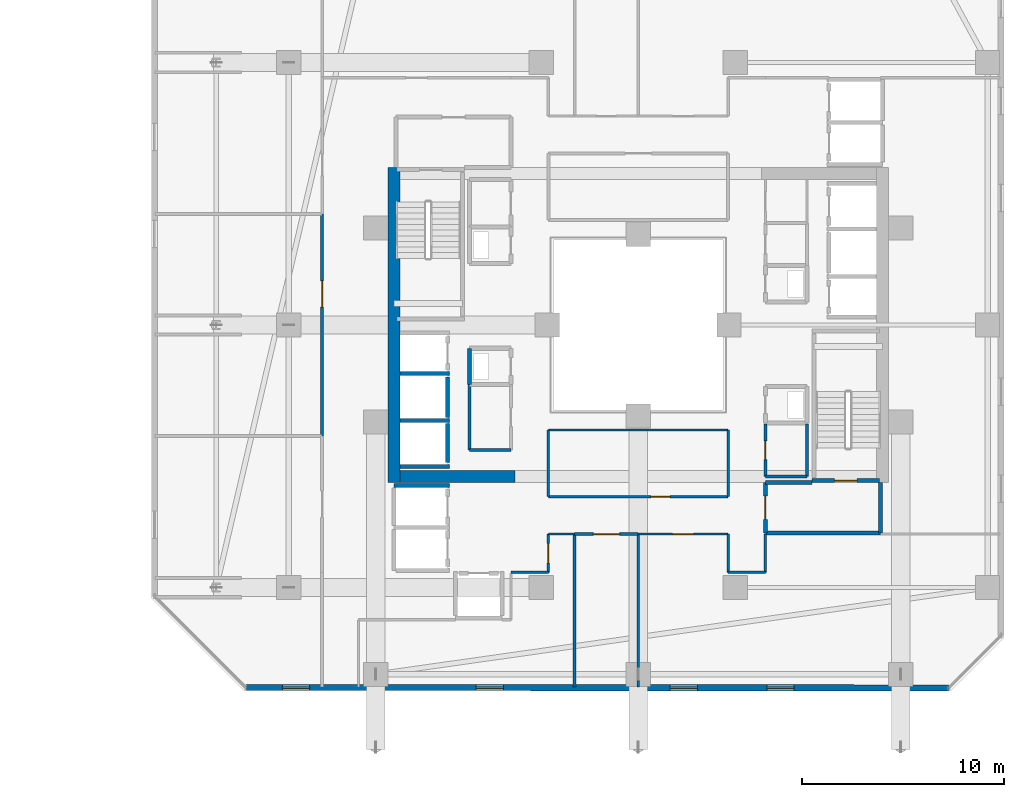
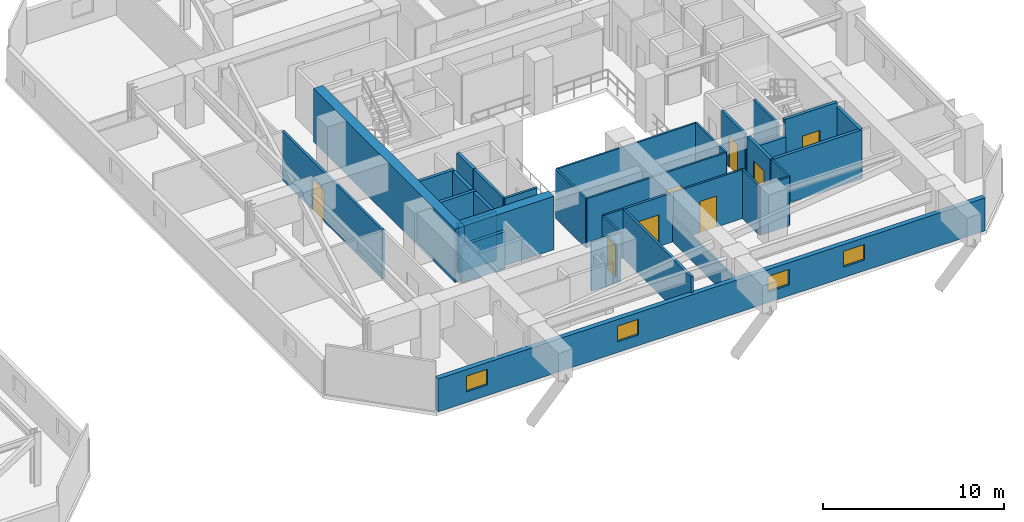
# One storey, part 26 of 36: 35 walls, 8 doors, 4 windows, 12 openings.
"""IFC4 building model written with IfcOpenShell, lengths in metres."""

from ifc_helpers import new_model, si_unit, direction, frame, frame_2d, origin, place, context, subcontext, project, spatial, rectangle, extrude, material, layer, layer_set, type_object, element, fill, save


model = new_model("IFC4")

# Units and contexts
model_context = context("Model", 3, precision=1e-05, world=origin(), true_north=direction((0.0, 1.0)))
body_context = subcontext(model_context, "Body", "Model", "MODEL_VIEW")
ifc_project = project(units=[si_unit("LENGTHUNIT", "METRE"), si_unit("AREAUNIT", "SQUARE_METRE"), si_unit("VOLUMEUNIT", "CUBIC_METRE"), si_unit("PLANEANGLEUNIT", "RADIAN"), si_unit("MASSUNIT", "GRAM", prefix="KILO")], contexts=[model_context])

# Site, building, storey
site_placement = place(None, origin())
site = spatial("IfcSite", under=ifc_project, at=site_placement, CompositionType="ELEMENT")
building_placement = place(site_placement, origin())
building = spatial("IfcBuilding", under=site, at=building_placement, Name="Thornwick Lancets Civic Towers", CompositionType="ELEMENT")
storey_placement = place(building_placement, frame((0.0, 0.0, 94.5)))
storey = spatial("IfcBuildingStorey", under=building, at=storey_placement, Name="L24", CompositionType="ELEMENT", Elevation=94.5)

# Walls
ifc_material_1 = material(Name="Concrete blockwork C40/50", Category="masonry")
ifc_layer_1 = layer(ifc_material_1, 0.199951171875, Name="Concrete blockwork C40/50")
ifc_layer_set_1 = layer_set([ifc_layer_1], Name="Concrete blockwork C40/50")
wall_type_1 = type_object("IfcWallType", Name="WALL_COMP_200", PredefinedType="STANDARD", material=ifc_layer_set_1)
wall_1_placement = place(storey_placement, frame((79.050048828125, 22.429931640625, 0.0), z_axis=(0.0, 0.0, 1.0), x_axis=(0.0, 1.0, 0.0)))
element("IfcWall", 1, at=wall_1_placement, inside=storey, type_object=wall_type_1, Name="L24 Hoistway Front Wall PL-BH2", PredefinedType="STANDARD", context=body_context, shape_type="SweptSolid", body=[
    extrude(rectangle(XDim=1.989990234375, YDim=0.199951171875, at=frame_2d((0.9951171875, 0.0))), origin(), (0.0, 0.0, 1.0), 3.300048828125),
])
wall_2_placement = place(storey_placement, frame((79.050048828125, 20.179931640625, 0.0), z_axis=(0.0, 0.0, 1.0), x_axis=(0.0, 1.0, 0.0)))
element("IfcWall", 2, at=wall_2_placement, inside=storey, type_object=wall_type_1, Name="L24 Hoistway Front Wall PL-BH3", PredefinedType="STANDARD", context=body_context, shape_type="SweptSolid", body=[
    extrude(rectangle(XDim=1.940185546875, YDim=0.199951171875, at=frame_2d((0.97021484375, 0.0))), origin(), (0.0, 0.0, 1.0), 3.300048828125),
])
for number, where, z_axis, x_axis, name in (
    (3, (76.7119140625, 24.60009765625, 0.0), (0.0, 0.0, 1.0), (1.0, 0.0, 0.0), "L24 Hoistway Shaft Wall FL-B2 S"),
    (4, (76.7119140625, 22.27490234375, 0.0), (0.0, 0.0, 1.0), (1.0, 0.0, 0.0), "L24 Hoistway Shaft Wall PL-BH2 S"),
    (5, (76.7119140625, 20.0, 0.0), (0.0, 0.0, 1.0), (1.0, 0.0, 0.0), "L24 Hoistway Shaft Wall PL-BH3 S"),
):
    element("IfcWall", number, at=place(storey_placement, frame(where, z_axis=z_axis, x_axis=x_axis)), inside=storey, type_object=wall_type_1, Name=name, PredefinedType="STANDARD", context=body_context, shape_type="SweptSolid", body=[
        extrude(rectangle(XDim=2.43603515625, YDim=0.199951171875, at=frame_2d((1.218017578125, 0.0))), origin(), (0.0, 0.0, 1.0), 3.300048828125),
    ])
wall_3_placement = place(storey_placement, frame((76.402099609375, 19.050048828125, 0.0), z_axis=(0.0, 0.0, 1.0), x_axis=(1.0, 0.0, 0.0)))
element("IfcWall", 6, at=wall_3_placement, inside=storey, type_object=wall_type_1, Name="L24 Hoistway Shaft Wall PL-BM1 N", PredefinedType="STANDARD", context=body_context, shape_type="SweptSolid", body=[
    extrude(rectangle(XDim=2.745849609375, YDim=0.199951171875, at=frame_2d((1.373046875, 0.0))), origin(), (0.0, 0.0, 1.0), 2.5048828125),
])
wall_4_placement = place(storey_placement, frame((94.800048828125, 16.699951171875, 0.0), z_axis=(0.0, 0.0, 1.0), x_axis=(1.0, 0.0, 0.0)))
element("IfcWall", 7, at=wall_4_placement, inside=storey, type_object=wall_type_1, Name="L24 Partition L24-B-FFLOB1 E1", PredefinedType="STANDARD", context=body_context, shape_type="SweptSolid", body=[
    extrude(rectangle(XDim=5.699951171875, YDim=0.199951171875, at=frame_2d((2.85009765625, 0.0))), origin(), (0.0, 0.0, 1.0), 3.300048828125),
])
wall_5_placement = place(storey_placement, frame((100.5, 16.699951171875, 0.0), z_axis=(0.0, 0.0, 1.0), x_axis=(0.0, 1.0, 0.0)))
element("IfcWall", 8, at=wall_5_placement, inside=storey, type_object=wall_type_1, Name="L24 Partition L24-B-FFLOB1 E2", PredefinedType="STANDARD", context=body_context, shape_type="SweptSolid", body=[
    extrude(rectangle(XDim=2.5, YDim=0.199951171875, at=frame_2d((1.25, 0.0))), origin(), (0.0, 0.0, 1.0), 3.300048828125),
])
wall_6_placement = place(storey_placement, frame((97.10009765625, 19.199951171875, 0.0), z_axis=(0.0, 0.0, 1.0), x_axis=(-1.0, 0.0, 0.0)))
element("IfcWall", 9, at=wall_6_placement, inside=storey, type_object=wall_type_1, Name="L24 Partition L24-B-FFLOB1 E3", PredefinedType="STANDARD", context=body_context, shape_type="SweptSolid", body=[
    extrude(rectangle(XDim=2.300048828125, YDim=0.199951171875, at=frame_2d((1.14990234375, 0.0))), origin(), (0.0, 0.0, 1.0), 2.5048828125),
])

# Wall, opening, door
wall_7_placement = place(storey_placement, frame((94.800048828125, 19.199951171875, 0.0), z_axis=(0.0, 0.0, 1.0), x_axis=(0.0, -1.0, 0.0)))
wall_7 = element("IfcWall", 10, at=wall_7_placement, inside=storey, type_object=wall_type_1, Name="L24 Partition L24-B-FFLOB1 E4", PredefinedType="STANDARD", context=body_context, shape_type="SweptSolid", body=[
    extrude(rectangle(XDim=2.5, YDim=0.199951171875, at=frame_2d((1.25, 0.0))), origin(), (0.0, 0.0, 1.0), 3.300048828125),
])
opening_1_placement = place(wall_7_placement, frame((0.675048828125, 0.0, 0.0)))
opening_1 = element("IfcOpeningElement", 11, at=opening_1_placement, cuts=wall_7, Name="Opening D-L24-1118", PredefinedType="OPENING", context=body_context, shape_type="SweptSolid", body=[
    extrude(rectangle(XDim=1.14990234375, YDim=2.10009765625, at=frame_2d((0.574951171875, 1.050048828125))), frame((0.0, 0.10986328125, 0.0), z_axis=(0.0, -1.0, 0.0), x_axis=(1.0, 0.0, 0.0)), (0.0, 0.0, 1.0), 0.219970703125),
])
ifc_material_2 = material(Name="Glazed fire-resisting steel", Category="steel")
door_type_1 = type_object("IfcDoorType", Name="DOOR_LOBBY_FD60", OperationType="NOTDEFINED", PredefinedType="DOOR", material=ifc_material_2)
door_1_placement = place(opening_1_placement, origin())
door_1 = element("IfcDoor", 12, at=door_1_placement, inside=storey, type_object=door_type_1, Name="L24 East Firefighting Lobby 1 Door", OperationType="SINGLE_SWING_LEFT", OverallHeight=2.10009765625, OverallWidth=1.14990234375, PredefinedType="DOOR", context=body_context, shape_type="SweptSolid", body=[
    extrude(rectangle(XDim=1.14990234375, YDim=2.10009765625, at=frame_2d((0.574951171875, 1.050048828125))), frame((0.0, 0.02490234375, 0.0), z_axis=(0.0, -1.0, 0.0), x_axis=(1.0, 0.0, 0.0)), (0.0, 0.0, 1.0), 0.050048828125),
])
fill(opening_1, door_1)

# Walls
wall_8_placement = place(storey_placement, frame((80.14990234375, 25.85009765625, 0.0), z_axis=(0.0, 0.0, 1.0), x_axis=(0.0, -1.0, 0.0)))
element("IfcWall", 13, at=wall_8_placement, inside=storey, type_object=wall_type_1, Name="L24 Partition L24-B-DUCT2 E4", PredefinedType="STANDARD", context=body_context, shape_type="SweptSolid", body=[
    extrude(rectangle(XDim=1.800048828125, YDim=0.199951171875, at=frame_2d((0.89990234375, 0.0))), origin(), (0.0, 0.0, 1.0), 3.300048828125),
])
ifc_material_3 = material(Name="Concrete C60/75", Category="concrete")
ifc_layer_2 = layer(ifc_material_3, 0.60009765625, Name="Concrete C60/75")
ifc_layer_set_2 = layer_set([ifc_layer_2], Name="Concrete C60/75")
wall_type_2 = type_object("IfcWallType", Name="WALL_CORE_600", PredefinedType="SHEAR", material=ifc_layer_set_2)
wall_9_placement = place(storey_placement, frame((76.39990234375, 19.199951171875, 0.0), z_axis=(0.0, 0.0, 1.0), x_axis=(0.0, 1.0, 0.0)))
element("IfcWall", 14, at=wall_9_placement, inside=storey, type_object=wall_type_2, Name="L24 Split Core B2 Shear Wall W", PredefinedType="SHEAR", context=body_context, shape_type="SweptSolid", body=[
    extrude(rectangle(XDim=15.60009765625, YDim=0.60009765625, at=frame_2d((7.800048828125, 0.0))), origin(), (0.0, 0.0, 1.0), 3.60009765625),
])
wall_10_placement = place(storey_placement, frame((76.699951171875, 19.5, 0.0), z_axis=(0.0, 0.0, 1.0), x_axis=(1.0, 0.0, 0.0)))
element("IfcWall", 15, at=wall_10_placement, inside=storey, type_object=wall_type_2, Name="L24 Split Core B2 Shear Wall S", PredefinedType="SHEAR", context=body_context, shape_type="SweptSolid", body=[
    extrude(rectangle(XDim=5.699951171875, YDim=0.60009765625, at=frame_2d((2.85009765625, 0.0))), origin(), (0.0, 0.0, 1.0), 3.60009765625),
])

# Wall, openings, windows
ifc_material_4 = material(Name="Insulated russet terracotta rainscreen on concrete C40/50", Category="masonry")
ifc_layer_3 = layer(ifc_material_4, 0.300048828125, Name="Insulated russet terracotta rainscreen on concrete C40/50")
ifc_layer_set_3 = layer_set([ifc_layer_3], Name="Insulated russet terracotta rainscreen on concrete C40/50")
wall_type_3 = type_object("IfcWallType", Name="WALL_EXT_RUSSET_300", PredefinedType="STANDARD", material=ifc_layer_set_3)
wall_11_placement = place(storey_placement, frame((69.074951171875, 9.041748046875, 0.0), z_axis=(0.0, 0.0, 1.0), x_axis=(0.999999983371, -0.000182370391, 0.0)))
wall_11 = element("IfcWall", 16, at=wall_11_placement, inside=storey, type_object=wall_type_3, Name="L24 Tower B Terracotta Facade Wall E0", PredefinedType="STANDARD", context=body_context, shape_type="SweptSolid", body=[
    extrude(rectangle(XDim=34.806396484375, YDim=0.300048828125, at=frame_2d((17.4033203125, 0.0))), origin(), (0.0, 0.0, 1.0), 2.219970703125),
])
opening_2_placement = place(wall_11_placement, frame((1.800048828125, 0.0, 0.719970703125)))
opening_2 = element("IfcOpeningElement", 17, at=opening_2_placement, cuts=wall_11, Name="Opening WL-03", PredefinedType="OPENING", context=body_context, shape_type="SweptSolid", body=[
    extrude(rectangle(XDim=1.35009765625, YDim=1.050048828125, at=frame_2d((0.675048828125, 0.52490234375))), frame((0.0, 0.16015625, 0.0), z_axis=(0.0, -1.0, 0.0), x_axis=(1.0, 0.0, 0.0)), (0.0, 0.0, 1.0), 0.320068359375),
])
opening_3_placement = place(wall_11_placement, frame((11.39990234375, 0.0, 0.719970703125)))
opening_3 = element("IfcOpeningElement", 18, at=opening_3_placement, cuts=wall_11, Name="Opening WL-03", PredefinedType="OPENING", context=body_context, shape_type="SweptSolid", body=[
    extrude(rectangle(XDim=1.35009765625, YDim=1.050048828125, at=frame_2d((0.675048828125, 0.52490234375))), frame((0.0, 0.16015625, 0.0), z_axis=(0.0, -1.0, 0.0), x_axis=(1.0, 0.0, 0.0)), (0.0, 0.0, 1.0), 0.320068359375),
])
opening_4_placement = place(wall_11_placement, frame((21.0, 0.0, 0.719970703125)))
opening_4 = element("IfcOpeningElement", 19, at=opening_4_placement, cuts=wall_11, Name="Opening WL-03", PredefinedType="OPENING", context=body_context, shape_type="SweptSolid", body=[
    extrude(rectangle(XDim=1.35009765625, YDim=1.050048828125, at=frame_2d((0.675048828125, 0.52490234375))), frame((0.0, 0.16015625, 0.0), z_axis=(0.0, -1.0, 0.0), x_axis=(1.0, 0.0, 0.0)), (0.0, 0.0, 1.0), 0.320068359375),
])
opening_5_placement = place(wall_11_placement, frame((25.800048828125, 0.0, 0.719970703125)))
opening_5 = element("IfcOpeningElement", 20, at=opening_5_placement, cuts=wall_11, Name="Opening WL-03", PredefinedType="OPENING", context=body_context, shape_type="SweptSolid", body=[
    extrude(rectangle(XDim=1.35009765625, YDim=1.050048828125, at=frame_2d((0.675048828125, 0.52490234375))), frame((0.0, 0.16015625, 0.0), z_axis=(0.0, -1.0, 0.0), x_axis=(1.0, 0.0, 0.0)), (0.0, 0.0, 1.0), 0.320068359375),
])
ifc_material_5 = material(Name="Clear low-e double glazing clerestory lancet", Category="glass")
window_type = type_object("IfcWindowType", Name="WIN_LANCET_1350", PartitioningType="SINGLE_PANEL", PredefinedType="WINDOW", material=ifc_material_5)
window_1_placement = place(opening_2_placement, origin())
window_1 = element("IfcWindow", 21, at=window_1_placement, inside=storey, type_object=window_type, Name="L24 Tower B Staggered Lancet Window E0-1", OverallHeight=1.050048828125, OverallWidth=1.35009765625, PartitioningType="SINGLE_PANEL", PredefinedType="WINDOW", context=body_context, shape_type="SweptSolid", body=[
    extrude(rectangle(XDim=1.35009765625, YDim=1.050048828125, at=frame_2d((0.675048828125, 0.52490234375))), frame((0.0, 0.030029296875, 0.0), z_axis=(0.0, -1.0, 0.0), x_axis=(1.0, 0.0, 0.0)), (0.0, 0.0, 1.0), 0.06005859375),
])
fill(opening_2, window_1)
window_2_placement = place(opening_3_placement, origin())
window_2 = element("IfcWindow", 22, at=window_2_placement, inside=storey, type_object=window_type, Name="L24 Tower B Staggered Lancet Window E0-2", OverallHeight=1.050048828125, OverallWidth=1.35009765625, PartitioningType="SINGLE_PANEL", PredefinedType="WINDOW", context=body_context, shape_type="SweptSolid", body=[
    extrude(rectangle(XDim=1.35009765625, YDim=1.050048828125, at=frame_2d((0.675048828125, 0.52490234375))), frame((0.0, 0.030029296875, 0.0), z_axis=(0.0, -1.0, 0.0), x_axis=(1.0, 0.0, 0.0)), (0.0, 0.0, 1.0), 0.06005859375),
])
fill(opening_3, window_2)
window_3_placement = place(opening_4_placement, origin())
window_3 = element("IfcWindow", 23, at=window_3_placement, inside=storey, type_object=window_type, Name="L24 Tower B Staggered Lancet Window E0-3", OverallHeight=1.050048828125, OverallWidth=1.35009765625, PartitioningType="SINGLE_PANEL", PredefinedType="WINDOW", context=body_context, shape_type="SweptSolid", body=[
    extrude(rectangle(XDim=1.35009765625, YDim=1.050048828125, at=frame_2d((0.675048828125, 0.52490234375))), frame((0.0, 0.030029296875, 0.0), z_axis=(0.0, -1.0, 0.0), x_axis=(1.0, 0.0, 0.0)), (0.0, 0.0, 1.0), 0.06005859375),
])
fill(opening_4, window_3)
window_4_placement = place(opening_5_placement, origin())
window_4 = element("IfcWindow", 24, at=window_4_placement, inside=storey, type_object=window_type, Name="L24 Tower B Staggered Lancet Window E0-4", OverallHeight=1.050048828125, OverallWidth=1.35009765625, PartitioningType="SINGLE_PANEL", PredefinedType="WINDOW", context=body_context, shape_type="SweptSolid", body=[
    extrude(rectangle(XDim=1.35009765625, YDim=1.050048828125, at=frame_2d((0.675048828125, 0.52490234375))), frame((0.0, 0.030029296875, 0.0), z_axis=(0.0, -1.0, 0.0), x_axis=(1.0, 0.0, 0.0)), (0.0, 0.0, 1.0), 0.06005859375),
])
fill(opening_5, window_4)

# Walls
ifc_material_6 = material(Name="Acoustic gypsum board partition")
ifc_layer_4 = layer(ifc_material_6, 0.1201171875, Name="Acoustic gypsum board partition")
ifc_layer_set_4 = layer_set([ifc_layer_4], Name="Acoustic gypsum board partition")
wall_type_4 = type_object("IfcWallType", Name="WALL_PART_120", PredefinedType="PARTITIONING", material=ifc_layer_set_4)
wall_12_placement = place(storey_placement, frame((92.949951171875, 16.64990234375, 0.0), z_axis=(0.0, 0.0, 1.0), x_axis=(0.0, -1.0, 0.0)))
element("IfcWall", 25, at=wall_12_placement, inside=storey, type_object=wall_type_4, Name="L24 Partition L24-B-W1 E1", PredefinedType="PARTITIONING", context=body_context, shape_type="SweptSolid", body=[
    extrude(rectangle(XDim=1.89990234375, YDim=0.1201171875, at=frame_2d((0.949951171875, 0.0))), origin(), (0.0, 0.0, 1.0), 3.300048828125),
])
wall_13_placement = place(storey_placement, frame((92.949951171875, 14.75, 0.0), z_axis=(0.0, 0.0, 1.0), x_axis=(1.0, 0.0, 0.0)))
element("IfcWall", 26, at=wall_13_placement, inside=storey, type_object=wall_type_4, Name="L24 Partition L24-B-W1 E2", PredefinedType="PARTITIONING", context=body_context, shape_type="SweptSolid", body=[
    extrude(rectangle(XDim=1.85009765625, YDim=0.1201171875, at=frame_2d((0.925048828125, 0.0))), origin(), (0.0, 0.0, 1.0), 3.300048828125),
])
wall_14_placement = place(storey_placement, frame((94.800048828125, 14.75, 0.0), z_axis=(0.0, 0.0, 1.0), x_axis=(0.0, 1.0, 0.0)))
element("IfcWall", 27, at=wall_14_placement, inside=storey, type_object=wall_type_4, Name="L24 Partition L24-B-W1 E3", PredefinedType="PARTITIONING", context=body_context, shape_type="SweptSolid", body=[
    extrude(rectangle(XDim=1.89990234375, YDim=0.1201171875, at=frame_2d((0.949951171875, 0.0))), origin(), (0.0, 0.0, 1.0), 3.300048828125),
])
wall_15_placement = place(storey_placement, frame((88.5, 9.080078125, 0.0), z_axis=(0.0, 0.0, 1.0), x_axis=(0.0, 1.0, 0.0)))
element("IfcWall", 28, at=wall_15_placement, inside=storey, type_object=wall_type_4, Name="L24 Partition L24-B-W1 E8", PredefinedType="PARTITIONING", context=body_context, shape_type="SweptSolid", body=[
    extrude(rectangle(XDim=7.56982421875, YDim=0.1201171875, at=frame_2d((3.784912109375, 0.0))), origin(), (0.0, 0.0, 1.0), 1.68505859375),
])

# Wall, opening, door
wall_16_placement = place(storey_placement, frame((88.5, 16.64990234375, 0.0), z_axis=(0.0, 0.0, 1.0), x_axis=(1.0, 0.0, 0.0)))
wall_16 = element("IfcWall", 29, at=wall_16_placement, inside=storey, type_object=wall_type_4, Name="L24 Partition L24-B-W1 E9", PredefinedType="PARTITIONING", context=body_context, shape_type="SweptSolid", body=[
    extrude(rectangle(XDim=4.449951171875, YDim=0.1201171875, at=frame_2d((2.22509765625, 0.0))), origin(), (0.0, 0.0, 1.0), 3.300048828125),
])
opening_6_placement = place(wall_16_placement, frame((1.699951171875, 0.0, 0.0)))
opening_6 = element("IfcOpeningElement", 30, at=opening_6_placement, cuts=wall_16, Name="Opening D-L24-1140", PredefinedType="OPENING", context=body_context, shape_type="SweptSolid", body=[
    extrude(rectangle(XDim=1.050048828125, YDim=2.10009765625, at=frame_2d((0.52490234375, 1.050048828125))), frame((0.0, 0.070068359375, 0.0), z_axis=(0.0, -1.0, 0.0), x_axis=(1.0, 0.0, 0.0)), (0.0, 0.0, 1.0), 0.14013671875),
])
ifc_material_7 = material(Name="Glazed European oak executive doorset")
door_type_2 = type_object("IfcDoorType", Name="DOOR_OFFICE_1050", OperationType="NOTDEFINED", PredefinedType="DOOR", material=ifc_material_7)
door_2_placement = place(opening_6_placement, origin())
door_2 = element("IfcDoor", 31, at=door_2_placement, inside=storey, type_object=door_type_2, Name="L24 Tower B Ministry Directorate Office W1 Door", OperationType="SINGLE_SWING_LEFT", OverallHeight=2.10009765625, OverallWidth=1.050048828125, PredefinedType="DOOR", context=body_context, shape_type="SweptSolid", body=[
    extrude(rectangle(XDim=1.050048828125, YDim=2.10009765625, at=frame_2d((0.52490234375, 1.050048828125))), frame((0.0, 0.02490234375, 0.0), z_axis=(0.0, -1.0, 0.0), x_axis=(1.0, 0.0, 0.0)), (0.0, 0.0, 1.0), 0.050048828125),
])
fill(opening_6, door_2)

# Wall
wall_17_placement = place(storey_placement, frame((82.199951171875, 14.75, 0.0), z_axis=(0.0, 0.0, 1.0), x_axis=(1.0, 0.0, 0.0)))
element("IfcWall", 32, at=wall_17_placement, inside=storey, type_object=wall_type_4, Name="L24 Partition L24-B-W3 E3", PredefinedType="PARTITIONING", context=body_context, shape_type="SweptSolid", body=[
    extrude(rectangle(XDim=1.85009765625, YDim=0.1201171875, at=frame_2d((0.925048828125, 0.0))), origin(), (0.0, 0.0, 1.0), 3.300048828125),
])

# Wall, opening, door
wall_18_placement = place(storey_placement, frame((84.050048828125, 14.75, 0.0), z_axis=(0.0, 0.0, 1.0), x_axis=(0.0, 1.0, 0.0)))
wall_18 = element("IfcWall", 33, at=wall_18_placement, inside=storey, type_object=wall_type_4, Name="L24 Partition L24-B-W3 E4", PredefinedType="PARTITIONING", context=body_context, shape_type="SweptSolid", body=[
    extrude(rectangle(XDim=1.89990234375, YDim=0.1201171875, at=frame_2d((0.949951171875, 0.0))), origin(), (0.0, 0.0, 1.0), 3.300048828125),
])
opening_7_placement = place(wall_18_placement, frame((0.47509765625, 0.0, 0.0)))
opening_7 = element("IfcOpeningElement", 34, at=opening_7_placement, cuts=wall_18, Name="Opening D-L24-1142", PredefinedType="OPENING", context=body_context, shape_type="SweptSolid", body=[
    extrude(rectangle(XDim=0.949951171875, YDim=2.10009765625, at=frame_2d((0.47509765625, 1.050048828125))), frame((0.0, 0.070068359375, 0.0), z_axis=(0.0, -1.0, 0.0), x_axis=(1.0, 0.0, 0.0)), (0.0, 0.0, 1.0), 0.14013671875),
])
ifc_material_8 = material(Name="European oak acoustic doorset")
door_type_3 = type_object("IfcDoorType", Name="DOOR_OFFICE_950", OperationType="NOTDEFINED", PredefinedType="DOOR", material=ifc_material_8)
door_3_placement = place(opening_7_placement, origin())
door_3 = element("IfcDoor", 35, at=door_3_placement, inside=storey, type_object=door_type_3, Name="L24 Tower B Staff Tea Pantry and Lounge Door", OperationType="SINGLE_SWING_LEFT", OverallHeight=2.10009765625, OverallWidth=0.949951171875, PredefinedType="DOOR", context=body_context, shape_type="SweptSolid", body=[
    extrude(rectangle(XDim=0.949951171875, YDim=2.10009765625, at=frame_2d((0.47509765625, 1.050048828125))), frame((0.0, 0.02490234375, 0.0), z_axis=(0.0, -1.0, 0.0), x_axis=(1.0, 0.0, 0.0)), (0.0, 0.0, 1.0), 0.050048828125),
])
fill(opening_7, door_3)

# Walls
wall_19_placement = place(storey_placement, frame((84.050048828125, 16.64990234375, 0.0), z_axis=(0.0, 0.0, 1.0), x_axis=(1.0, 0.0, 0.0)))
element("IfcWall", 36, at=wall_19_placement, inside=storey, type_object=wall_type_4, Name="L24 Partition L24-B-W3 E5", PredefinedType="PARTITIONING", context=body_context, shape_type="SweptSolid", body=[
    extrude(rectangle(XDim=1.300048828125, YDim=0.1201171875, at=frame_2d((0.64990234375, 0.0))), origin(), (0.0, 0.0, 1.0), 3.300048828125),
])
wall_20_placement = place(storey_placement, frame((84.050048828125, 18.5, 0.0), z_axis=(0.0, 0.0, 1.0), x_axis=(0.0, 1.0, 0.0)))
element("IfcWall", 37, at=wall_20_placement, inside=storey, type_object=wall_type_4, Name="L24 Partition L24-B-ATR-W E1", PredefinedType="PARTITIONING", context=body_context, shape_type="SweptSolid", body=[
    extrude(rectangle(XDim=3.300048828125, YDim=0.1201171875, at=frame_2d((1.64990234375, 0.0))), origin(), (0.0, 0.0, 1.0), 3.300048828125),
])
wall_21_placement = place(storey_placement, frame((84.050048828125, 21.800048828125, 0.0), z_axis=(0.0, 0.0, 1.0), x_axis=(1.0, 0.0, 0.0)))
element("IfcWall", 38, at=wall_21_placement, inside=storey, type_object=wall_type_4, Name="L24 Partition L24-B-ATR-W E2", PredefinedType="PARTITIONING", context=body_context, shape_type="SweptSolid", body=[
    extrude(rectangle(XDim=8.89990234375, YDim=0.1201171875, at=frame_2d((4.449951171875, 0.0))), origin(), (0.0, 0.0, 1.0), 3.300048828125),
])
wall_22_placement = place(storey_placement, frame((92.949951171875, 21.800048828125, 0.0), z_axis=(0.0, 0.0, 1.0), x_axis=(0.0, -1.0, 0.0)))
element("IfcWall", 39, at=wall_22_placement, inside=storey, type_object=wall_type_4, Name="L24 Partition L24-B-ATR-W E3", PredefinedType="PARTITIONING", context=body_context, shape_type="SweptSolid", body=[
    extrude(rectangle(XDim=3.300048828125, YDim=0.1201171875, at=frame_2d((1.64990234375, 0.0))), origin(), (0.0, 0.0, 1.0), 3.300048828125),
])

# Wall, opening, door
wall_23_placement = place(storey_placement, frame((92.949951171875, 18.5, 0.0), z_axis=(0.0, 0.0, 1.0), x_axis=(-1.0, 0.0, 0.0)))
wall_23 = element("IfcWall", 40, at=wall_23_placement, inside=storey, type_object=wall_type_4, Name="L24 Partition L24-B-ATR-W E4", PredefinedType="PARTITIONING", context=body_context, shape_type="SweptSolid", body=[
    extrude(rectangle(XDim=8.89990234375, YDim=0.1201171875, at=frame_2d((4.449951171875, 0.0))), origin(), (0.0, 0.0, 1.0), 3.300048828125),
])
opening_8_placement = place(wall_23_placement, frame((2.875, 0.0, 0.0)))
opening_8 = element("IfcOpeningElement", 41, at=opening_8_placement, cuts=wall_23, Name="Opening D-L24-1147", PredefinedType="OPENING", context=body_context, shape_type="SweptSolid", body=[
    extrude(rectangle(XDim=0.949951171875, YDim=2.10009765625, at=frame_2d((0.47509765625, 1.050048828125))), frame((0.0, 0.070068359375, 0.0), z_axis=(0.0, -1.0, 0.0), x_axis=(1.0, 0.0, 0.0)), (0.0, 0.0, 1.0), 0.14013671875),
])
door_4_placement = place(opening_8_placement, origin())
door_4 = element("IfcDoor", 42, at=door_4_placement, inside=storey, type_object=door_type_3, Name="L24 Tower B West Atrium Study Lounge Door", OperationType="SINGLE_SWING_RIGHT", OverallHeight=2.10009765625, OverallWidth=0.949951171875, PredefinedType="DOOR", context=body_context, shape_type="SweptSolid", body=[
    extrude(rectangle(XDim=0.949951171875, YDim=2.10009765625, at=frame_2d((0.47509765625, 1.050048828125))), frame((0.0, 0.02490234375, 0.0), z_axis=(0.0, -1.0, 0.0), x_axis=(1.0, 0.0, 0.0)), (0.0, 0.0, 1.0), 0.050048828125),
])
fill(opening_8, door_4)

# Walls
ifc_material_9 = material(Name="Twin-stud acoustic gypsum board")
ifc_layer_5 = layer(ifc_material_9, 0.14990234375, Name="Twin-stud acoustic gypsum board")
ifc_layer_set_5 = layer_set([ifc_layer_5], Name="Twin-stud acoustic gypsum board")
wall_type_5 = type_object("IfcWallType", Name="WALL_PART_150", PredefinedType="PARTITIONING", material=ifc_layer_set_5)
wall_24_placement = place(storey_placement, frame((94.800048828125, 19.5, 0.0), z_axis=(0.0, 0.0, 1.0), x_axis=(1.0, 0.0, 0.0)))
element("IfcWall", 43, at=wall_24_placement, inside=storey, type_object=wall_type_5, Name="L24 Partition L24-B-AWC E1", PredefinedType="PARTITIONING", context=body_context, shape_type="SweptSolid", body=[
    extrude(rectangle(XDim=2.050048828125, YDim=0.14990234375, at=frame_2d((1.02490234375, 0.0))), origin(), (0.0, 0.0, 1.0), 2.5048828125),
])
wall_25_placement = place(storey_placement, frame((96.85009765625, 19.5, 0.0), z_axis=(0.0, 0.0, 1.0), x_axis=(0.0, 1.0, 0.0)))
element("IfcWall", 44, at=wall_25_placement, inside=storey, type_object=wall_type_5, Name="L24 Partition L24-B-AWC E2", PredefinedType="PARTITIONING", context=body_context, shape_type="SweptSolid", body=[
    extrude(rectangle(XDim=2.60009765625, YDim=0.14990234375, at=frame_2d((1.300048828125, 0.0))), origin(), (0.0, 0.0, 1.0), 3.300048828125),
])

# Wall, opening, door
wall_26_placement = place(storey_placement, frame((94.800048828125, 22.10009765625, 0.0), z_axis=(0.0, 0.0, 1.0), x_axis=(0.0, -1.0, 0.0)))
wall_26 = element("IfcWall", 45, at=wall_26_placement, inside=storey, type_object=wall_type_5, Name="L24 Partition L24-B-AWC E4", PredefinedType="PARTITIONING", context=body_context, shape_type="SweptSolid", body=[
    extrude(rectangle(XDim=2.60009765625, YDim=0.14990234375, at=frame_2d((1.300048828125, 0.0))), origin(), (0.0, 0.0, 1.0), 3.300048828125),
])
opening_9_placement = place(wall_26_placement, frame((0.840087890625, 0.0, 0.0)))
opening_9 = element("IfcOpeningElement", 46, at=opening_9_placement, cuts=wall_26, Name="Opening D-L24-1124", PredefinedType="OPENING", context=body_context, shape_type="SweptSolid", body=[
    extrude(rectangle(XDim=0.919921875, YDim=2.080078125, at=frame_2d((0.4599609375, 1.0400390625))), frame((0.0, 0.0849609375, 0.0), z_axis=(0.0, -1.0, 0.0), x_axis=(1.0, 0.0, 0.0)), (0.0, 0.0, 1.0), 0.169921875),
])
ifc_material_10 = material(Name="Moisture-resistant oak doorset")
door_type_4 = type_object("IfcDoorType", Name="DOOR_WC_900", OperationType="NOTDEFINED", PredefinedType="DOOR", material=ifc_material_10)
door_5_placement = place(opening_9_placement, origin())
door_5 = element("IfcDoor", 47, at=door_5_placement, inside=storey, type_object=door_type_4, Name="L24 Tower B Accessible WC Door", OperationType="SINGLE_SWING_LEFT", OverallHeight=2.080078125, OverallWidth=0.919921875, PredefinedType="DOOR", context=body_context, shape_type="SweptSolid", body=[
    extrude(rectangle(XDim=0.919921875, YDim=2.080078125, at=frame_2d((0.4599609375, 1.0400390625))), frame((0.0, 0.02490234375, 0.0), z_axis=(0.0, -1.0, 0.0), x_axis=(1.0, 0.0, 0.0)), (0.0, 0.0, 1.0), 0.050048828125),
])
fill(opening_9, door_5)

# Walls
wall_27_placement = place(storey_placement, frame((82.199951171875, 20.800048828125, 0.0), z_axis=(0.0, 0.0, 1.0), x_axis=(-1.0, 0.0, 0.0)))
element("IfcWall", 48, at=wall_27_placement, inside=storey, type_object=wall_type_5, Name="L24 Partition L24-B-FWC E1", PredefinedType="PARTITIONING", context=body_context, shape_type="SweptSolid", body=[
    extrude(rectangle(XDim=2.050048828125, YDim=0.14990234375, at=frame_2d((1.02490234375, 0.0))), origin(), (0.0, 0.0, 1.0), 3.300048828125),
])
wall_28_placement = place(storey_placement, frame((80.14990234375, 20.800048828125, 0.0), z_axis=(0.0, 0.0, 1.0), x_axis=(0.0, 1.0, 0.0)))
element("IfcWall", 49, at=wall_28_placement, inside=storey, type_object=wall_type_5, Name="L24 Partition L24-B-FWC E2", PredefinedType="PARTITIONING", context=body_context, shape_type="SweptSolid", body=[
    extrude(rectangle(XDim=3.25, YDim=0.14990234375, at=frame_2d((1.625, 0.0))), origin(), (0.0, 0.0, 1.0), 3.300048828125),
])
wall_29_placement = place(storey_placement, frame((85.35009765625, 9.080078125, 0.0), z_axis=(0.0, 0.0, 1.0), x_axis=(0.0, 1.0, 0.0)))
element("IfcWall", 50, at=wall_29_placement, inside=storey, type_object=wall_type_5, Name="L24 Partition L24-B-W2 E3", PredefinedType="PARTITIONING", context=body_context, shape_type="SweptSolid", body=[
    extrude(rectangle(XDim=7.56982421875, YDim=0.14990234375, at=frame_2d((3.784912109375, 0.0))), origin(), (0.0, 0.0, 1.0), 3.300048828125),
])

# Wall, opening, door
wall_30_placement = place(storey_placement, frame((85.35009765625, 16.64990234375, 0.0), z_axis=(0.0, 0.0, 1.0), x_axis=(1.0, 0.0, 0.0)))
wall_30 = element("IfcWall", 51, at=wall_30_placement, inside=storey, type_object=wall_type_5, Name="L24 Partition L24-B-W2 E4", PredefinedType="PARTITIONING", context=body_context, shape_type="SweptSolid", body=[
    extrude(rectangle(XDim=3.14990234375, YDim=0.14990234375, at=frame_2d((1.574951171875, 0.0))), origin(), (0.0, 0.0, 1.0), 3.300048828125),
])
opening_10_placement = place(wall_30_placement, frame((0.925048828125, 0.0, 0.0)))
opening_10 = element("IfcOpeningElement", 52, at=opening_10_placement, cuts=wall_30, Name="Opening D-L24-1141", PredefinedType="OPENING", context=body_context, shape_type="SweptSolid", body=[
    extrude(rectangle(XDim=1.300048828125, YDim=2.1201171875, at=frame_2d((0.64990234375, 1.06005859375))), frame((0.0, 0.0849609375, 0.0), z_axis=(0.0, -1.0, 0.0), x_axis=(1.0, 0.0, 0.0)), (0.0, 0.0, 1.0), 0.169921875),
])
ifc_material_11 = material(Name="Acoustic oak leaf-and-a-half doorset")
door_type_5 = type_object("IfcDoorType", Name="DOOR_MEET_1300", OperationType="DOUBLE_DOOR_SINGLE_SWING", PredefinedType="DOOR", material=ifc_material_11)
door_6_placement = place(opening_10_placement, origin())
door_6 = element("IfcDoor", 53, at=door_6_placement, inside=storey, type_object=door_type_5, Name="L24 Tower B Policy Briefing Room W2 Door", OperationType="DOUBLE_DOOR_SINGLE_SWING", OverallHeight=2.1201171875, OverallWidth=1.300048828125, PredefinedType="DOOR", context=body_context, shape_type="SweptSolid", body=[
    extrude(rectangle(XDim=1.300048828125, YDim=2.1201171875, at=frame_2d((0.64990234375, 1.06005859375))), frame((0.0, 0.02490234375, 0.0), z_axis=(0.0, -1.0, 0.0), x_axis=(1.0, 0.0, 0.0)), (0.0, 0.0, 1.0), 0.050048828125),
])
fill(opening_10, door_6)

wall_31_placement = place(storey_placement, frame((72.85009765625, 32.5, 0.0), z_axis=(0.0, 0.0, 1.0), x_axis=(0.0, -1.0, 0.0)))
wall_31 = element("IfcWall", 54, at=wall_31_placement, inside=storey, type_object=wall_type_5, Name="L24 Partition L24-B-N-MEET E8", PredefinedType="PARTITIONING", context=body_context, shape_type="SweptSolid", body=[
    extrude(rectangle(XDim=11.0, YDim=0.14990234375, at=frame_2d((5.5, 0.0))), origin(), (0.0, 0.0, 1.0), 3.300048828125),
])
opening_11_placement = place(wall_31_placement, frame((3.31005859375, 0.0, 0.0)))
opening_11 = element("IfcOpeningElement", 55, at=opening_11_placement, cuts=wall_31, Name="Opening D-L24-1149", PredefinedType="OPENING", context=body_context, shape_type="SweptSolid", body=[
    extrude(rectangle(XDim=1.300048828125, YDim=2.1201171875, at=frame_2d((0.64990234375, 1.06005859375))), frame((0.0, 0.0849609375, 0.0), z_axis=(0.0, -1.0, 0.0), x_axis=(1.0, 0.0, 0.0)), (0.0, 0.0, 1.0), 0.169921875),
])
door_7_placement = place(opening_11_placement, origin())
door_7 = element("IfcDoor", 56, at=door_7_placement, inside=storey, type_object=door_type_5, Name="L24 Tower B North Briefing Chamber Door", OperationType="DOUBLE_DOOR_SINGLE_SWING", OverallHeight=2.1201171875, OverallWidth=1.300048828125, PredefinedType="DOOR", context=body_context, shape_type="SweptSolid", body=[
    extrude(rectangle(XDim=1.300048828125, YDim=2.1201171875, at=frame_2d((0.64990234375, 1.06005859375))), frame((0.0, 0.02490234375, 0.0), z_axis=(0.0, -1.0, 0.0), x_axis=(1.0, 0.0, 0.0)), (0.0, 0.0, 1.0), 0.050048828125),
])
fill(opening_11, door_7)

ifc_material_12 = material(Name="Concrete C40/50", Category="concrete")
ifc_layer_6 = layer(ifc_material_12, 0.199951171875, Name="Concrete C40/50")
ifc_layer_set_6 = layer_set([ifc_layer_6], Name="Concrete C40/50")
wall_type_6 = type_object("IfcWallType", Name="WALL_SHAFT_200", PredefinedType="SHEAR", material=ifc_layer_set_6)
wall_32_placement = place(storey_placement, frame((100.449951171875, 19.300048828125, 0.0), z_axis=(0.0, 0.0, 1.0), x_axis=(-1.0, 0.0, 0.0)))
wall_32 = element("IfcWall", 57, at=wall_32_placement, inside=storey, type_object=wall_type_6, Name="L24 ST-B1 Fire Stair Core Wall NEAR", PredefinedType="SHEAR", context=body_context, shape_type="SweptSolid", body=[
    extrude(rectangle(XDim=3.349853515625, YDim=0.199951171875, at=frame_2d((1.6748046875, 0.0))), origin(), (0.0, 0.0, 1.0), 3.60009765625),
])
opening_12_placement = place(wall_32_placement, frame((1.125, 0.0, 0.0)))
opening_12 = element("IfcOpeningElement", 58, at=opening_12_placement, cuts=wall_32, Name="Opening D-ST-B1-L24", PredefinedType="OPENING", context=body_context, shape_type="SweptSolid", body=[
    extrude(rectangle(XDim=1.10009765625, YDim=2.10009765625, at=frame_2d((0.550048828125, 1.050048828125))), frame((0.0, 0.10986328125, 0.0), z_axis=(0.0, -1.0, 0.0), x_axis=(1.0, 0.0, 0.0)), (0.0, 0.0, 1.0), 0.219970703125),
])
ifc_material_13 = material(Name="Fire-resisting steel and hardwood", Category="steel")
door_type_6 = type_object("IfcDoorType", Name="DOOR_STAIR_FD60", OperationType="NOTDEFINED", PredefinedType="DOOR", material=ifc_material_13)
door_8_placement = place(opening_12_placement, origin())
door_8 = element("IfcDoor", 59, at=door_8_placement, inside=storey, type_object=door_type_6, Name="L24 ST-B1 Exit Stair Door", OperationType="SINGLE_SWING_RIGHT", OverallHeight=2.10009765625, OverallWidth=1.10009765625, PredefinedType="DOOR", context=body_context, shape_type="SweptSolid", body=[
    extrude(rectangle(XDim=1.10009765625, YDim=2.10009765625, at=frame_2d((0.550048828125, 1.050048828125))), frame((0.0, 0.02490234375, 0.0), z_axis=(0.0, -1.0, 0.0), x_axis=(1.0, 0.0, 0.0)), (0.0, 0.0, 1.0), 0.050048828125),
])
fill(opening_12, door_8)

save(model, "model.ifc")
